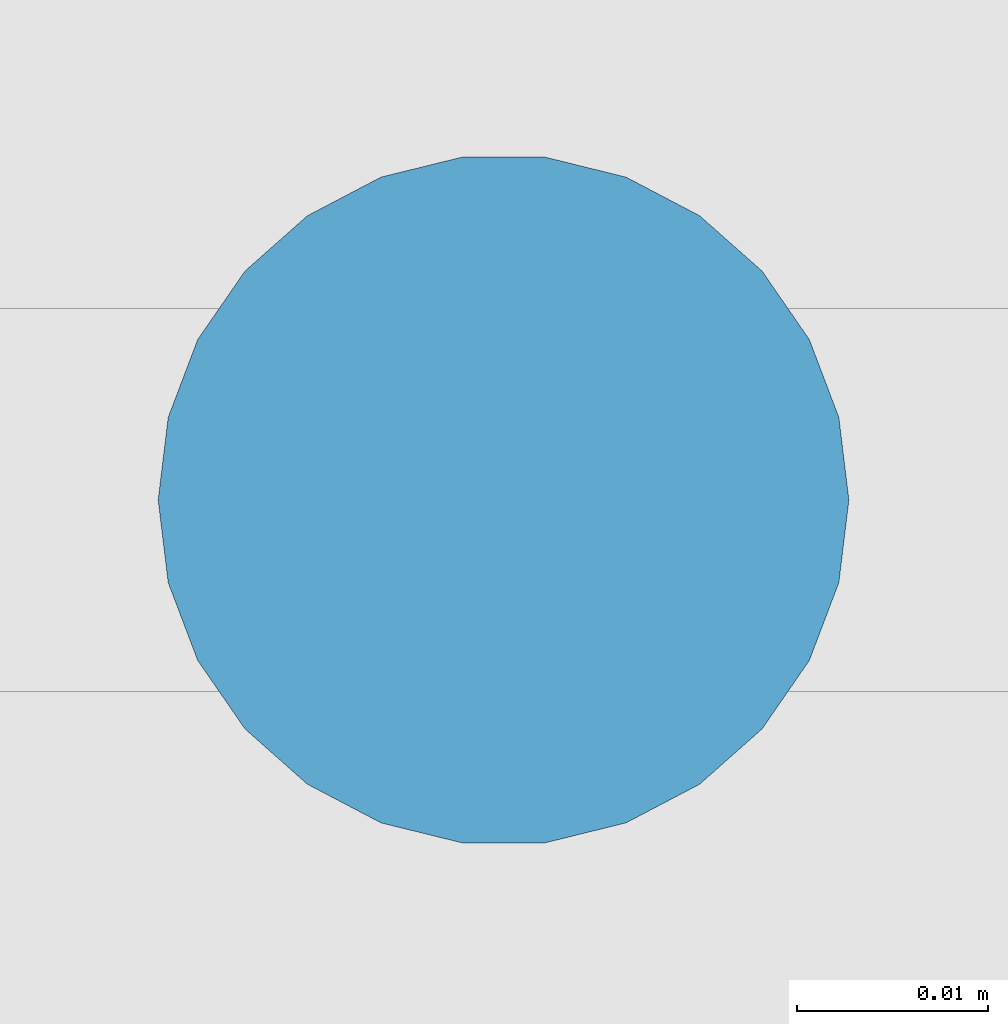
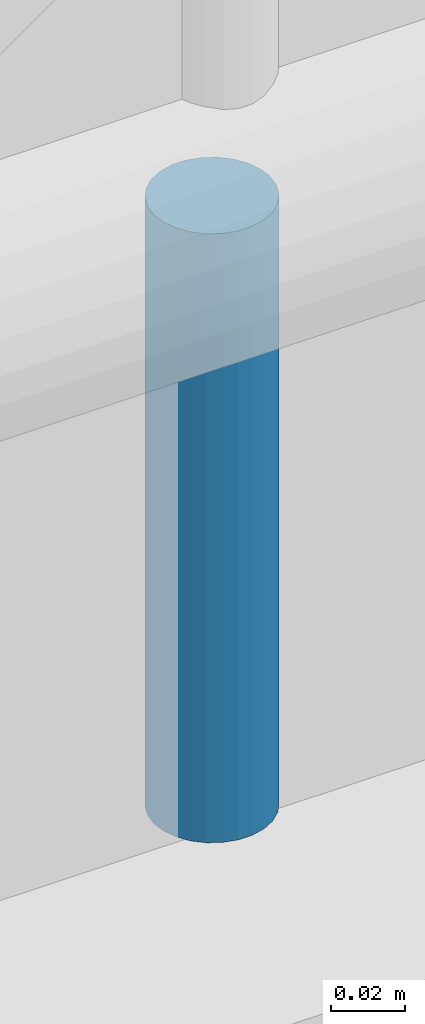
# One storey, part 241 of 321: 1 member.
"""IFC4 building model written with IfcOpenShell, lengths in metres."""

from ifc_helpers import new_model, si_unit, direction, frame, origin, origin_2d, place, context, subcontext, project, spatial, circle, extrude, material, material_profile, profile_set, type_object, element, save


model = new_model("IFC4")

# Units and contexts
model_context = context("Model", 3, precision=1e-05, world=origin(), true_north=direction((0.0, 1.0)))
body_context = subcontext(model_context, "Body", "Model", "MODEL_VIEW")
ifc_project = project(units=[si_unit("LENGTHUNIT", "METRE"), si_unit("AREAUNIT", "SQUARE_METRE"), si_unit("VOLUMEUNIT", "CUBIC_METRE"), si_unit("PLANEANGLEUNIT", "RADIAN"), si_unit("MASSUNIT", "GRAM", prefix="KILO")], contexts=[model_context])

# Site, building, storey
site_placement = place(None, origin())
site = spatial("IfcSite", under=ifc_project, at=site_placement, CompositionType="ELEMENT")
building_placement = place(site_placement, origin())
building = spatial("IfcBuilding", under=site, at=building_placement, Name="Ravi Spectrum Wholesale Market", CompositionType="ELEMENT")
storey_placement = place(building_placement, frame((0.0, 0.0, 10.800048828125)))
storey = spatial("IfcBuildingStorey", under=building, at=storey_placement, Name="L02", CompositionType="ELEMENT", Elevation=10.800048828125)

# Member
ifc_material = material(Name="Steel S355", Category="steel")
ifc_material_profile = material_profile(ifc_material, circle(Radius=0.01806640625, at=origin_2d()))
ifc_profile_set = profile_set([ifc_material_profile], Name="Steel S355")
member_type = type_object("IfcMemberType", Name="ROD 36 hanger", PredefinedType="STRUT", material=ifc_profile_set)
member_placement = place(storey_placement, frame((56.81689453125, 198.0, 0.0), z_axis=(0.0, 0.0, -1.0), x_axis=(1.0, 0.0, 0.0)))
element("IfcMember", 1, at=member_placement, inside=storey, type_object=member_type, Name="H1-MB-L02-1734", PredefinedType="STRUT", context=body_context, shape_type="SweptSolid", body=[
    extrude(circle(Radius=0.01806640625, at=origin_2d()), origin(), (0.0, 0.0, 1.0), 0.199951171875),
])

save(model, "model.ifc")
